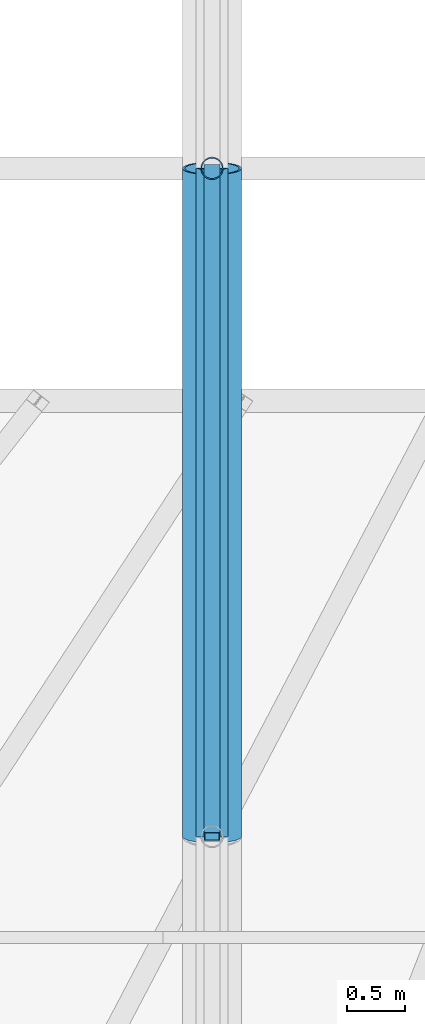
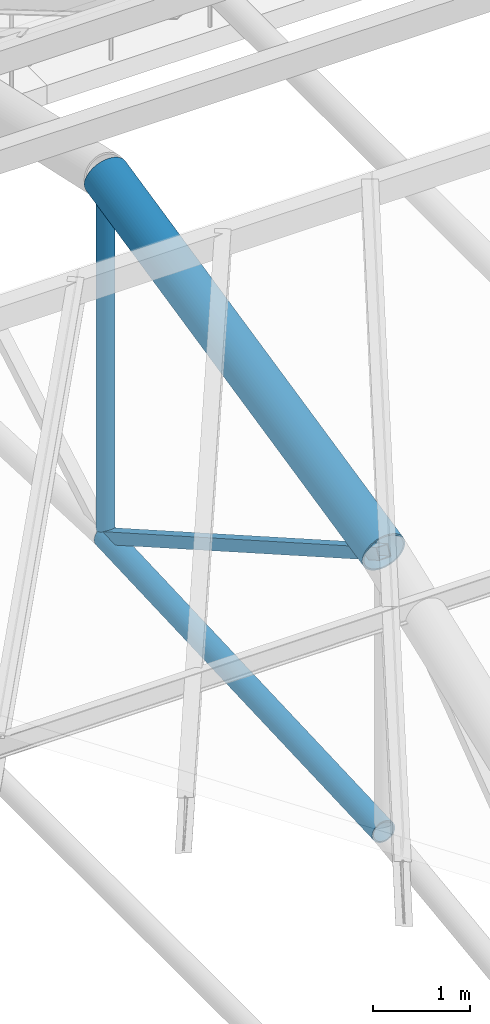
# One storey, part 29 of 168: 3 members, 1 beam.
"""IFC4 building model written with IfcOpenShell, lengths in metres."""

from ifc_helpers import new_model, si_unit, direction, frame, origin, origin_2d, place, context, subcontext, project, spatial, hollow_rectangle, hollow_circle, extrude, material, material_profile, profile_set, type_object, element, save


model = new_model("IFC4")

# Units and contexts
model_context = context("Model", 3, precision=1e-05, world=origin(), true_north=direction((0.0, 1.0)))
body_context = subcontext(model_context, "Body", "Model", "MODEL_VIEW")
ifc_project = project(units=[si_unit("LENGTHUNIT", "METRE"), si_unit("AREAUNIT", "SQUARE_METRE"), si_unit("VOLUMEUNIT", "CUBIC_METRE"), si_unit("PLANEANGLEUNIT", "RADIAN"), si_unit("MASSUNIT", "GRAM", prefix="KILO"), si_unit("THERMODYNAMICTEMPERATUREUNIT", "KELVIN"), si_unit("POWERUNIT", "WATT")], contexts=[model_context])

# Site, building, storey
site_placement = place(None, origin())
site = spatial("IfcSite", under=ifc_project, at=site_placement, CompositionType="ELEMENT")
building_placement = place(site_placement, origin())
building = spatial("IfcBuilding", under=site, at=building_placement, Name="Tepalcoro Natatorium and Aquatics Centre", CompositionType="ELEMENT")
storey_placement = place(building_placement, frame((0.0, 0.0, 10.199951171875)))
storey = spatial("IfcBuildingStorey", under=building, at=storey_placement, Name="L02", CompositionType="ELEMENT", Elevation=10.199951171875)

# Beam
ifc_material_1 = material(Name="Terracotta Painted Hollow Steel ASTM A500 Grade C (Fy 345 MPa)", Category="masonry")
ifc_material_profile_1 = material_profile(ifc_material_1, hollow_circle(Radius=0.25390625, WallThickness=0.02001953125, at=origin_2d()), Name="CHS508X20")
ifc_profile_set_1 = profile_set([ifc_material_profile_1], Name="Terracotta Painted Hollow Steel ASTM A500 Grade C (Fy 345 MPa)")
beam_type = type_object("IfcBeamType", Name="AC_CHS508x20", PredefinedType="USERDEFINED", material=ifc_profile_set_1)
beam_placement = place(storey_placement, frame((80.0, 30.25, 10.933837890625), z_axis=(0.0, 0.976604771889, 0.215042134299), x_axis=(-1.0, 0.0, 0.0)))
element("IfcBeam", 1, at=beam_placement, inside=storey, type_object=beam_type, Name="V1 Arched Truss Top Chord 4", ObjectType="ARCH CHORD", PredefinedType="USERDEFINED", context=body_context, shape_type="SweptSolid", body=[
    extrude(hollow_circle(Radius=0.25390625, WallThickness=0.02001953125, at=origin_2d()), origin(), (0.0, 0.0, 1.0), 5.8876953125),
])

# Members
ifc_material_profile_2 = material_profile(ifc_material_1, hollow_circle(Radius=0.136474609375, WallThickness=0.01611328125, at=origin_2d()), Name="CHS273X16")
ifc_profile_set_2 = profile_set([ifc_material_profile_2], Name="Terracotta Painted Hollow Steel ASTM A500 Grade C (Fy 345 MPa)")
member_type_1 = type_object("IfcMemberType", Name="MB_CH_CHS273x16", PredefinedType="CHORD", material=ifc_profile_set_2)
member_1_placement = place(storey_placement, frame((80.0, 30.25, 7.403076171875), z_axis=(0.0, 0.999078119626, 0.042929137953), x_axis=(-1.0, 0.0, 0.0)))
element("IfcMember", 2, at=member_1_placement, inside=storey, type_object=member_type_1, Name="V1 Arched Truss Bottom Chord 4", PredefinedType="CHORD", context=body_context, shape_type="SweptSolid", body=[
    extrude(hollow_circle(Radius=0.136474609375, WallThickness=0.01611328125, at=origin_2d()), origin(), (0.0, 0.0, 1.0), 5.75537109375),
])
ifc_material_profile_3 = material_profile(ifc_material_1, hollow_circle(Radius=0.096923828125, WallThickness=0.010009765625, at=origin_2d()), Name="CHS194X10")
ifc_profile_set_3 = profile_set([ifc_material_profile_3], Name="Terracotta Painted Hollow Steel ASTM A500 Grade C (Fy 345 MPa)")
member_type_2 = type_object("IfcMemberType", Name="MB_PS_CHS194x10", PredefinedType="POST", material=ifc_profile_set_3)
member_2_placement = place(storey_placement, frame((80.0, 36.0, 7.650146484375), z_axis=(0.0, 0.0, 1.0), x_axis=(1.0, 0.0, 0.0)))
element("IfcMember", 3, at=member_2_placement, inside=storey, type_object=member_type_2, Name="V1 Arched Truss Vertical Post 4", PredefinedType="POST", context=body_context, shape_type="SweptSolid", body=[
    extrude(hollow_circle(Radius=0.096923828125, WallThickness=0.010009765625, at=origin_2d()), origin(), (0.0, 0.0, 1.0), 4.5498046875),
])
ifc_material_2 = material(Name="Hollow Steel ASTM A500 Grade C (Fy 345 MPa)", Category="steel")
ifc_material_profile_4 = material_profile(ifc_material_2, hollow_rectangle(XDim=0.139892578125, YDim=0.139892578125, WallThickness=0.008056640625, at=origin_2d()), Name="HSS140X140X8")
ifc_profile_set_4 = profile_set([ifc_material_profile_4], Name="Hollow Steel ASTM A500 Grade C (Fy 345 MPa)")
member_type_3 = type_object("IfcMemberType", Name="MB_ST_HSS140x140x8", PredefinedType="STRUT", material=ifc_profile_set_4)
member_3_placement = place(storey_placement, frame((80.0, 30.25, 10.933837890625), z_axis=(0.0, 0.86837471101, -0.495908621904), x_axis=(-1.0, 0.0, 0.0)))
element("IfcMember", 4, at=member_3_placement, inside=storey, type_object=member_type_3, Name="V1 Arched Truss Web Diagonal 4", PredefinedType="STRUT", context=body_context, shape_type="SweptSolid", body=[
    extrude(hollow_rectangle(XDim=0.139892578125, YDim=0.139892578125, WallThickness=0.008056640625, at=origin_2d()), origin(), (0.0, 0.0, 1.0), 6.62158203125),
])

save(model, "model.ifc")
